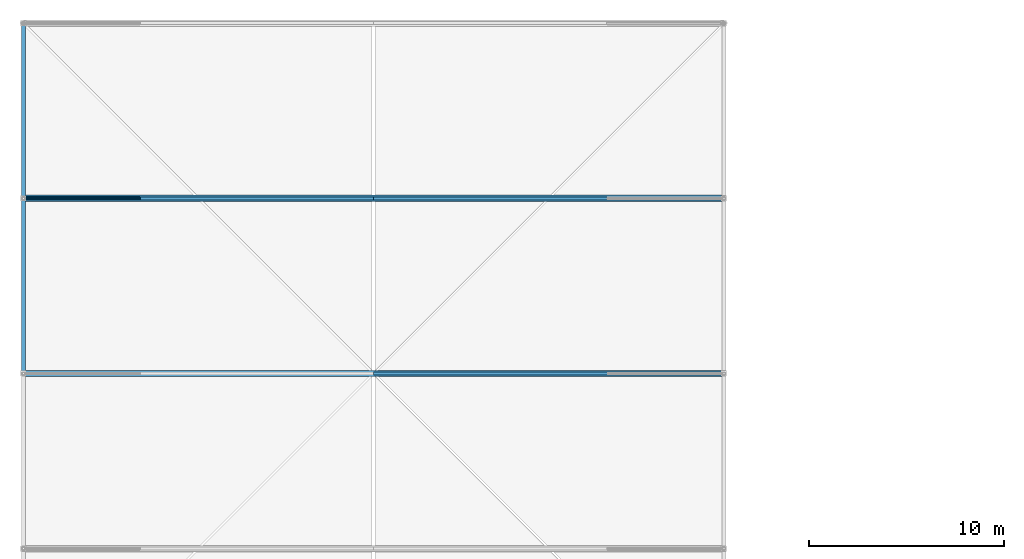
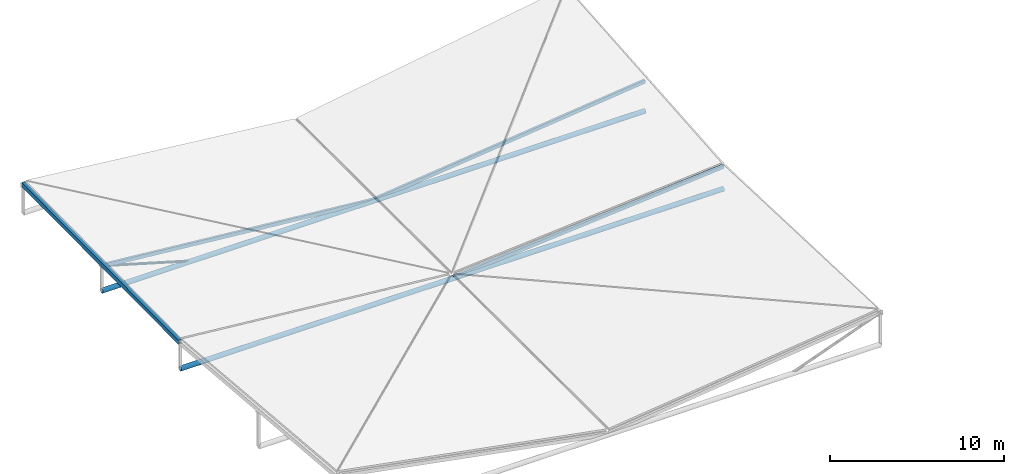
# One storey, part 30 of 44: 7 members.
"""IFC4 building model written with IfcOpenShell, lengths in metres."""

import ifcopenshell
import ifcopenshell.guid

model = None  # the IFC model being written
_history = None  # IfcOwnerHistory: only IFC2X3 demands one
_inside = {}  # id of a spatial element -> (the spatial element, [elements in it])
_under = {}  # id of a project, library or spatial element -> (it, [spatial elements below it])
_declared = {}  # id of a project -> (the project, [libraries it declares])
_typed = {}  # id of a type object -> (the type object, [elements of that type])
_made_of = {}  # id of a material, layer set ... -> (it, [elements and type objects made of it])


def new_model(schema):
    """Start an empty IFC model of exactly this schema.

    Asked for "IFC4X3", IfcOpenShell would pick the latest addendum, in which some entities
    have other attributes; the version numbers below select the first issue.
    IFC2X3 requires an IfcOwnerHistory on every rooted entity: one is made here for all.
    """
    global model, _history
    if schema == "IFC4X3":
        model = ifcopenshell.file(schema_version=(4, 3, 0, 0))
    else:
        model = ifcopenshell.file(schema=schema)
    _inside.clear()
    _under.clear()
    _declared.clear()
    _typed.clear()
    _made_of.clear()
    _history = None
    if model.schema == "IFC2X3":
        org = make("IfcOrganization", Name="unknown")
        user = make(
            "IfcPersonAndOrganization",
            ThePerson=make("IfcPerson", FamilyName="unknown"),
            TheOrganization=org,
        )
        app = make(
            "IfcApplication",
            ApplicationDeveloper=org,
            Version="unknown",
            ApplicationFullName="unknown",
            ApplicationIdentifier="unknown",
        )
        _history = make(
            "IfcOwnerHistory",
            OwningUser=user,
            OwningApplication=app,
            ChangeAction="ADDED",
            CreationDate=0,
        )
    return model


def make(cls, **values):
    """One entity of the class cls with the attributes given. An attribute that is None is left unset."""
    return model.create_entity(
        cls, **{name: value for name, value in values.items() if value is not None}
    )


def rooted(cls, **values):
    """An entity with a GlobalId (a new one), such as an element, a storey or a relation."""
    return make(cls, GlobalId=ifcopenshell.guid.new(), OwnerHistory=_history, **values)


def si_unit(unit_type, name, prefix=None):
    """IfcSIUnit, for example si_unit("LENGTHUNIT", "METRE", prefix="MILLI")."""
    return make("IfcSIUnit", UnitType=unit_type, Prefix=prefix, Name=name)


def assignment(units):
    """IfcUnitAssignment: the units of a project."""
    return None if units is None else make("IfcUnitAssignment", Units=units)


def point(xyz):
    """IfcCartesianPoint."""
    return None if xyz is None else make("IfcCartesianPoint", Coordinates=xyz)


def direction(xyz):
    """IfcDirection."""
    return None if xyz is None else make("IfcDirection", DirectionRatios=xyz)


def frame(location, z_axis=None, x_axis=None):
    """IfcAxis2Placement3D, a coordinate frame: its origin and axes. An axis left out is left unset."""
    return make(
        "IfcAxis2Placement3D",
        Location=point(location),
        Axis=direction(z_axis),
        RefDirection=direction(x_axis),
    )


def frame_2d(location, x_axis=None):
    """IfcAxis2Placement2D, a coordinate frame in the plane: its origin and x axis."""
    return make(
        "IfcAxis2Placement2D", Location=point(location), RefDirection=direction(x_axis)
    )


def origin():
    """The frame at (0, 0, 0) with its axes left unset."""
    return frame((0.0, 0.0, 0.0))


def origin_2d():
    """The frame at (0, 0) in the plane with its x axis left unset."""
    return frame_2d((0.0, 0.0))


def place(relative_to, where):
    """IfcLocalPlacement: puts the frame where relative to a parent placement (None: the world)."""
    return make(
        "IfcLocalPlacement", PlacementRelTo=relative_to, RelativePlacement=where
    )


def context(
    kind, dimensions, precision=None, world=None, true_north=None, identifier=None
):
    """IfcGeometricRepresentationContext, for example the 3D "Model" context."""
    return make(
        "IfcGeometricRepresentationContext",
        ContextIdentifier=identifier,
        ContextType=kind,
        CoordinateSpaceDimension=dimensions,
        Precision=precision,
        WorldCoordinateSystem=world,
        TrueNorth=true_north,
    )


def subcontext(parent, identifier, kind, view, scale=None):
    """IfcGeometricRepresentationSubContext, for example "Body" below "Model"."""
    return make(
        "IfcGeometricRepresentationSubContext",
        ContextIdentifier=identifier,
        ContextType=kind,
        ParentContext=parent,
        TargetScale=scale,
        TargetView=view,
    )


def project(units=None, contexts=None):
    """IfcProject with its units and contexts."""
    return rooted(
        "IfcProject",
        Name="project",
        RepresentationContexts=contexts,
        UnitsInContext=assignment(units),
    )


def spatial(cls, under=None, at=None, **own):
    """A site, building, storey or space (cls), placed at a placement, below another one or the project."""
    s = rooted(cls, ObjectPlacement=at, **own)
    if under is not None:
        _under.setdefault(under.id(), (under, []))[1].append(s)
    return s


def profile(cls, at=None, kind="AREA", **sizes):
    """A parametric profile (cls). Its sizes go by their IFC names, for example OverallWidth=200.0."""
    return make(cls, ProfileType=kind, Position=at, **sizes)


def hollow_rectangle(**sizes):
    """IfcRectangleHollowProfileDef."""
    return profile("IfcRectangleHollowProfileDef", **sizes)


def hollow_circle(**sizes):
    """IfcCircleHollowProfileDef."""
    return profile("IfcCircleHollowProfileDef", **sizes)


def extrude(swept, where, along, depth):
    """IfcExtrudedAreaSolid: the profile swept, set in the frame where, extruded along a direction by depth."""
    return make(
        "IfcExtrudedAreaSolid",
        SweptArea=swept,
        Position=where,
        ExtrudedDirection=direction(along),
        Depth=depth,
    )


def shape(context_of_items, identifier, shape_type, items):
    """IfcShapeRepresentation: the items that make up one representation, for example the "Body"."""
    return make(
        "IfcShapeRepresentation",
        ContextOfItems=context_of_items,
        RepresentationIdentifier=identifier,
        RepresentationType=shape_type,
        Items=items,
    )


def material(Name=None, Category=None):
    """IfcMaterial."""
    return make("IfcMaterial", Name=Name, Category=Category)


def material_profile(
    of_material, cross_section, Name=None, Category=None, Priority=None
):
    """IfcMaterialProfile: a cross section and its material."""
    return make(
        "IfcMaterialProfile",
        Name=Name,
        Material=of_material,
        Profile=cross_section,
        Priority=Priority,
        Category=Category,
    )


def profile_set(profiles, Name=None, composite=None):
    """IfcMaterialProfileSet."""
    return make(
        "IfcMaterialProfileSet",
        Name=Name,
        MaterialProfiles=profiles,
        CompositeProfile=composite,
    )


def made_of(thing, what):
    """Note that an element or type object is made of a material, layer set ...; save() writes the relation."""
    if what is not None:
        _made_of.setdefault(what.id(), (what, []))[1].append(thing)
    return thing


def type_object(cls, material=None, **own):
    """A type object (cls), such as IfcWallType, which elements share."""
    return made_of(rooted(cls, **own), material)


def element(
    cls,
    number,
    at=None,
    inside=None,
    cuts=None,
    type_object=None,
    material=None,
    context=None,
    identifier="Body",
    shape_type=None,
    held_by="IfcProductDefinitionShape",
    body=None,
    shapes=None,
    **own,
):
    """One element of the class cls, such as IfcWall. Its Tag is "e" and its number.

    at: its placement. inside: the storey or other place that contains it. cuts: it is an
    opening in that element (IfcRelVoidsElement). A single representation is given by context,
    identifier, shape_type and body (its items); several are given by shapes. held_by: the class
    of the entity that holds the representations. save() writes the other relations.
    """
    e = rooted(cls, Tag="e%d" % number, ObjectPlacement=at, **own)
    if body is not None:
        shapes = [shape(context, identifier, shape_type, body)]
    if shapes is not None:
        e.Representation = make(held_by, Representations=shapes)
    if inside is not None:
        _inside.setdefault(inside.id(), (inside, []))[1].append(e)
    if cuts is not None:
        rooted(
            "IfcRelVoidsElement", RelatingBuildingElement=cuts, RelatedOpeningElement=e
        )
    if type_object is not None:
        _typed.setdefault(type_object.id(), (type_object, []))[1].append(e)
    return made_of(e, material)


def aggregate(whole, parts):
    """IfcRelAggregates: a whole, such as a stair, and the parts it consists of."""
    return rooted("IfcRelAggregates", RelatingObject=whole, RelatedObjects=parts)


def save(model, path):
    """Write the relations noted so far, then the file.

    IfcRelAggregates (storeys below a building ...), IfcRelContainedInSpatialStructure (elements
    in a storey), IfcRelDefinesByType, IfcRelAssociatesMaterial and IfcRelDeclares: one each for
    every whole, place, type object, material and project.
    """
    for whole, parts in _under.values():
        aggregate(whole, parts)
    for where, things in _inside.values():
        rooted(
            "IfcRelContainedInSpatialStructure",
            RelatedElements=things,
            RelatingStructure=where,
        )
    for kind, things in _typed.values():
        rooted("IfcRelDefinesByType", RelatedObjects=things, RelatingType=kind)
    for what, things in _made_of.values():
        rooted("IfcRelAssociatesMaterial", RelatedObjects=things, RelatingMaterial=what)
    for by, libraries in _declared.values():
        rooted("IfcRelDeclares", RelatingContext=by, RelatedDefinitions=libraries)
    model.write(path)


model = new_model("IFC4")

# Units and contexts
model_context = context("Model", 3, precision=1e-05, world=origin(), true_north=direction((0.0, 1.0)))
body_context = subcontext(model_context, "Body", "Model", "MODEL_VIEW")
ifc_project = project(units=[si_unit("LENGTHUNIT", "METRE"), si_unit("AREAUNIT", "SQUARE_METRE"), si_unit("VOLUMEUNIT", "CUBIC_METRE"), si_unit("PLANEANGLEUNIT", "RADIAN"), si_unit("MASSUNIT", "GRAM", prefix="KILO")], contexts=[model_context])

# Site, building, storey
site_placement = place(None, origin())
site = spatial("IfcSite", under=ifc_project, at=site_placement, CompositionType="ELEMENT")
building_placement = place(site_placement, origin())
building = spatial("IfcBuilding", under=site, at=building_placement, Name="Deido Ridge Mobility Hub", CompositionType="ELEMENT")
storey_placement = place(building_placement, frame((0.0, 0.0, 25.199951171875)))
storey = spatial("IfcBuildingStorey", under=building, at=storey_placement, Name="L06", CompositionType="ELEMENT", Elevation=25.199951171875)

# Members
ifc_material = material(Name="Steel S355J2H EN 10210-1", Category="steel")
ifc_material_profile_1 = material_profile(ifc_material, hollow_circle(Radius=0.161865234375, WallThickness=0.012451171875, at=origin_2d()), Name="CHS 323.9x12.5")
ifc_profile_set_1 = profile_set([ifc_material_profile_1], Name="Steel S355J2H EN 10210-1")
member_type_1 = type_object("IfcMemberType", Name="MEM-CHD-CHS324", PredefinedType="CHORD", material=ifc_profile_set_1)
for number, where, z_axis, x_axis, name in (
    (1, (63.0, 63.0, 0.0), (1.0, 0.0, 0.0), (0.0, 1.0, 0.0), "Sports origami tie chord CH2"),
    (2, (63.0, 72.0, 0.0), (1.0, 0.0, 0.0), (0.0, 1.0, 0.0), "Sports origami tie chord CH2"),
):
    element("IfcMember", number, at=place(storey_placement, frame(where, z_axis=z_axis, x_axis=x_axis)), inside=storey, type_object=member_type_1, Name=name, PredefinedType="CHORD", context=body_context, shape_type="SweptSolid", body=[
        extrude(hollow_circle(Radius=0.161865234375, WallThickness=0.012451171875, at=origin_2d()), origin(), (0.0, 0.0, 1.0), 36.0),
    ])
ifc_material_profile_2 = material_profile(ifc_material, hollow_rectangle(XDim=0.199951171875, YDim=0.300048828125, WallThickness=0.012451171875, at=origin_2d()), Name="RHS 300x200x12.5")
ifc_profile_set_2 = profile_set([ifc_material_profile_2], Name="Steel S355J2H EN 10210-1")
member_type_2 = type_object("IfcMemberType", Name="MEM-CHD-RHS300", PredefinedType="CHORD", material=ifc_profile_set_2)
member_1_placement = place(storey_placement, frame((63.0, 63.0, 1.860107421875), z_axis=(0.0, 0.999969800854, 0.007771575194), x_axis=(-1.0, 0.0, 0.0)))
element("IfcMember", 3, at=member_1_placement, inside=storey, type_object=member_type_2, Name="Origami longitudinal ridge chord CH1", PredefinedType="CHORD", context=body_context, shape_type="SweptSolid", body=[
    extrude(hollow_rectangle(XDim=0.199951171875, YDim=0.300048828125, WallThickness=0.012451171875, at=origin_2d()), origin(), (0.0, 0.0, 1.0), 18.00048828125),
])
ifc_material_profile_3 = material_profile(ifc_material, hollow_rectangle(XDim=0.14990234375, YDim=0.25, WallThickness=0.010009765625, at=origin_2d()), Name="RHS 250x150x10")
ifc_profile_set_3 = profile_set([ifc_material_profile_3], Name="Steel S355J2H EN 10210-1")
member_type_3 = type_object("IfcMemberType", Name="MEM-RAF-RHS250", PredefinedType="RAFTER", material=ifc_profile_set_3)
member_2_placement = place(storey_placement, frame((81.0, 63.0, 0.050048828125), z_axis=(0.996406821254, 0.0, 0.084696201562), x_axis=(0.0, 1.0, 0.0)))
element("IfcMember", 4, at=member_2_placement, inside=storey, type_object=member_type_3, Name="Sports origami rafter RF1", PredefinedType="RAFTER", context=body_context, shape_type="SweptSolid", body=[
    extrude(hollow_rectangle(XDim=0.14990234375, YDim=0.25, WallThickness=0.010009765625, at=origin_2d()), origin(), (0.0, 0.0, 1.0), 18.06494140625),
])
member_3_placement = place(storey_placement, frame((63.0, 72.0, 1.75), z_axis=(0.995569991953, 0.0, -0.094023354139), x_axis=(0.0, 1.0, 0.0)))
element("IfcMember", 5, at=member_3_placement, inside=storey, type_object=member_type_3, Name="Sports origami rafter RF1", PredefinedType="RAFTER", context=body_context, shape_type="SweptSolid", body=[
    extrude(hollow_rectangle(XDim=0.14990234375, YDim=0.25, WallThickness=0.010009765625, at=origin_2d()), origin(), (0.0, 0.0, 1.0), 18.080078125),
])
member_4_placement = place(storey_placement, frame((81.0, 72.0, 0.050048828125), z_axis=(0.993576772627, 0.0, 0.11316004991), x_axis=(0.0, 1.0, 0.0)))
element("IfcMember", 6, at=member_4_placement, inside=storey, type_object=member_type_3, Name="Sports origami rafter RF1", PredefinedType="RAFTER", context=body_context, shape_type="SweptSolid", body=[
    extrude(hollow_rectangle(XDim=0.14990234375, YDim=0.25, WallThickness=0.010009765625, at=origin_2d()), origin(), (0.0, 0.0, 1.0), 18.116455078125),
])
ifc_material_profile_4 = material_profile(ifc_material, hollow_circle(Radius=0.084228515625, WallThickness=0.008056640625, at=origin_2d()), Name="CHS 168.3x8")
ifc_profile_set_4 = profile_set([ifc_material_profile_4], Name="Steel S355J2H EN 10210-1")
member_type_4 = type_object("IfcMemberType", Name="MEM-STR-CHS168", PredefinedType="STRUT", material=ifc_profile_set_4)
member_5_placement = place(storey_placement, frame((69.0, 72.0, 0.0), z_axis=(-0.96, 0.0, 0.28), x_axis=(0.0, -1.0, 0.0)))
element("IfcMember", 7, at=member_5_placement, inside=storey, type_object=member_type_4, Name="Origami diagonal web SR1", PredefinedType="STRUT", context=body_context, shape_type="SweptSolid", body=[
    extrude(hollow_circle(Radius=0.084228515625, WallThickness=0.008056640625, at=origin_2d()), origin(), (0.0, 0.0, 1.0), 6.25),
])

save(model, "model.ifc")
